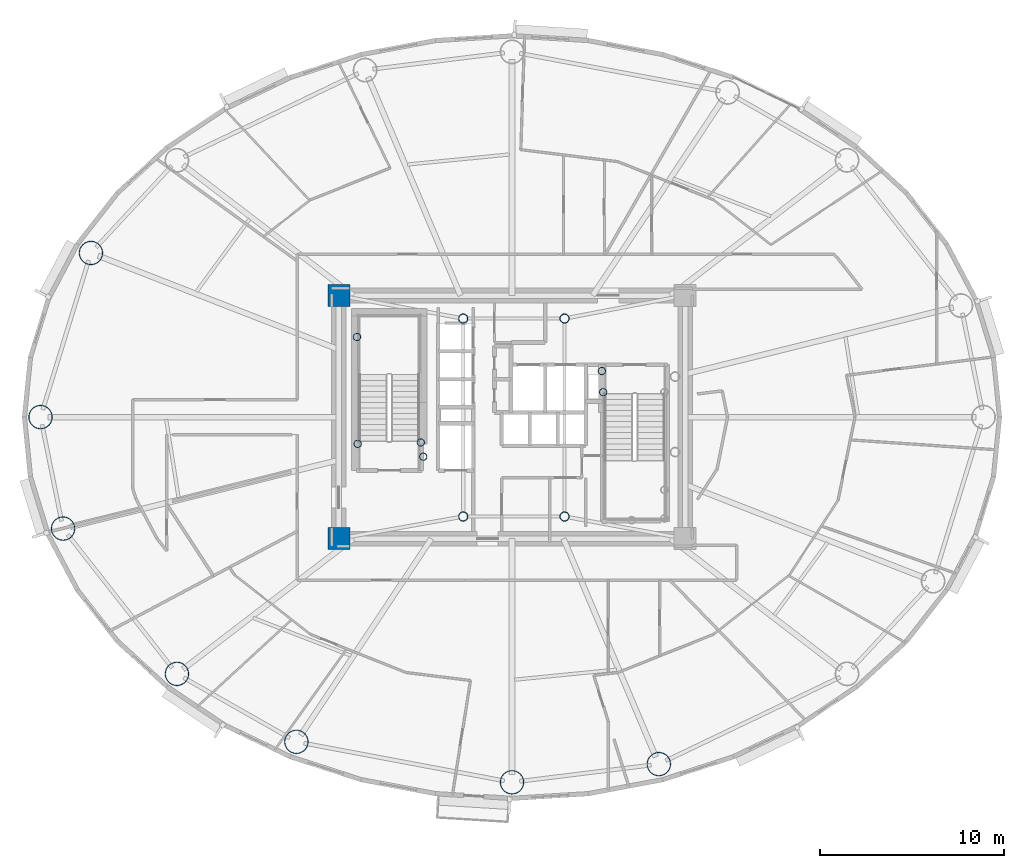
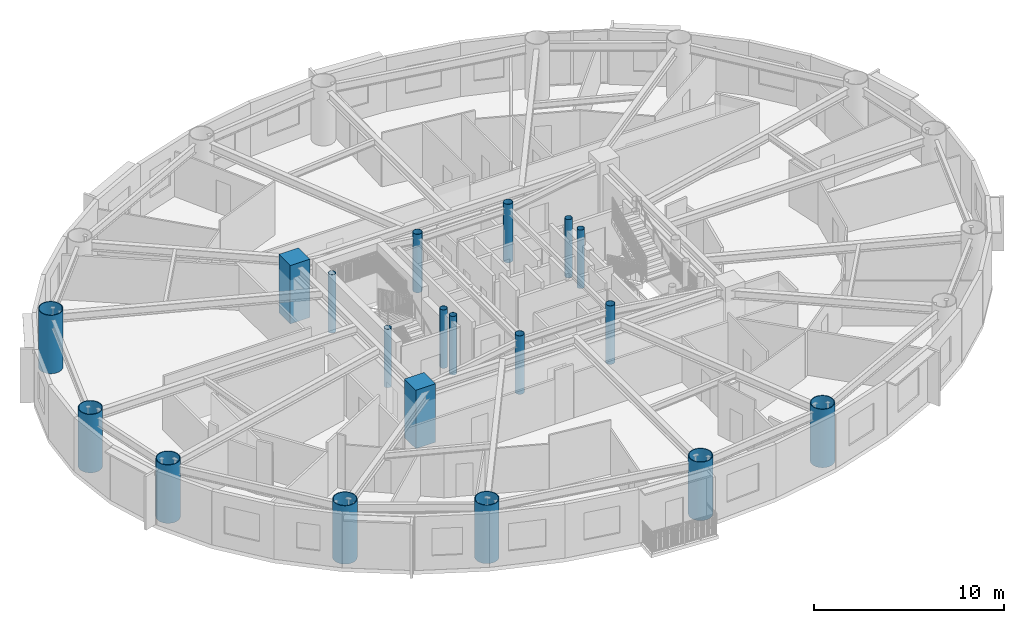
# One storey, part 1 of 17: 19 columns.
"""IFC4 building model written with IfcOpenShell, lengths in metres."""

from ifc_helpers import new_model, si_unit, direction, frame, origin, origin_2d, place, context, subcontext, project, spatial, rectangle, hollow_circle, extrude, material, material_profile, profile_set, type_object, element, save


model = new_model("IFC4")

# Units and contexts
model_context = context("Model", 3, precision=1e-05, world=origin(), true_north=direction((0.0, 1.0)))
body_context = subcontext(model_context, "Body", "Model", "MODEL_VIEW")
ifc_project = project(units=[si_unit("LENGTHUNIT", "METRE"), si_unit("AREAUNIT", "SQUARE_METRE"), si_unit("VOLUMEUNIT", "CUBIC_METRE"), si_unit("PLANEANGLEUNIT", "RADIAN"), si_unit("MASSUNIT", "GRAM", prefix="KILO")], contexts=[model_context])

# Site, building, storey
site_placement = place(None, origin())
site = spatial("IfcSite", under=ifc_project, at=site_placement, CompositionType="ELEMENT")
building_placement = place(site_placement, origin())
building = spatial("IfcBuilding", under=site, at=building_placement, Name="Linh Dai School and Residence Tower", CompositionType="ELEMENT")
storey_placement = place(building_placement, frame((0.0, 0.0, 201.14990234375)))
storey = spatial("IfcBuildingStorey", under=building, at=storey_placement, Name="L49", CompositionType="ELEMENT", Elevation=201.14990234375)

# Columns
ifc_material_1 = material(Name="Concrete B60 (C50/60)", Category="concrete")
ifc_material_profile_1 = material_profile(ifc_material_1, rectangle(XDim=1.199951171875, YDim=1.199951171875, at=origin_2d()), Name="RC 1200x1200")
ifc_profile_set_1 = profile_set([ifc_material_profile_1], Name="Concrete B60 (C50/60)")
column_type_1 = type_object("IfcColumnType", Name="COL-CC2", PredefinedType="COLUMN", material=ifc_profile_set_1)
for number, where, z_axis, x_axis, name in (
    (1, (26.60009765625, 20.39990234375, 0.0), (0.0, 0.0, 1.0), (1.0, 0.0, 0.0), "L49 Core Corner Pier CC1"),
    (2, (26.60009765625, 33.60009765625, 0.0), (0.0, 0.0, 1.0), (1.0, 0.0, 0.0), "L49 Core Corner Pier CC4"),
):
    element("IfcColumn", number, at=place(storey_placement, frame(where, z_axis=z_axis, x_axis=x_axis)), inside=storey, type_object=column_type_1, Name=name, PredefinedType="COLUMN", context=body_context, shape_type="SweptSolid", body=[
        extrude(rectangle(XDim=1.199951171875, YDim=1.199951171875, at=origin_2d()), origin(), (0.0, 0.0, 1.0), 3.75),
    ])
ifc_material_2 = material(Name="Structural Steel S355JR", Category="steel")
ifc_material_profile_2 = material_profile(ifc_material_2, hollow_circle(Radius=0.203125, WallThickness=0.01611328125, at=origin_2d()), Name="CHS 406.4x16")
ifc_profile_set_2 = profile_set([ifc_material_profile_2], Name="Structural Steel S355JR")
column_type_2 = type_object("IfcColumnType", Name="COL-EC", PredefinedType="COLUMN", material=ifc_profile_set_2)
for number, where, z_axis, x_axis, name in (
    (3, (27.580078125, 31.35009765625, 0.0), (0.0, 0.0, 1.0), (1.0, 0.0, 0.0), "L49 Stair Shaft Landing Support Pier ST1NW"),
    (4, (31.050048828125, 25.6201171875, 0.0), (0.0, 0.0, 1.0), (1.0, 0.0, 0.0), "L49 Stair Shaft Landing Support Pier ST1SE"),
    (5, (31.179931640625, 24.85009765625, 0.0), (0.0, 0.0, 1.0), (1.0, 0.0, 0.0), "L49 Stair Shaft Landing Support Pier ST1SM"),
    (6, (27.6201171875, 25.550048828125, 0.0), (0.0, 0.0, 1.0), (1.0, 0.0, 0.0), "L49 Stair Shaft Landing Support Pier ST1SW"),
    (7, (40.949951171875, 28.35009765625, 0.0), (0.0, 0.0, 1.0), (1.0, 0.0, 0.0), "L49 Stair Shaft Landing Support Pier ST2N1"),
    (8, (40.8798828125, 29.5, 0.0), (0.0, 0.0, 1.0), (1.0, 0.0, 0.0), "L49 Stair Shaft Landing Support Pier ST2N3"),
):
    element("IfcColumn", number, at=place(storey_placement, frame(where, z_axis=z_axis, x_axis=x_axis)), inside=storey, type_object=column_type_2, Name=name, PredefinedType="COLUMN", context=body_context, shape_type="SweptSolid", body=[
        extrude(hollow_circle(Radius=0.203125, WallThickness=0.01611328125, at=origin_2d()), origin(), (0.0, 0.0, 1.0), 3.75),
    ])
ifc_material_profile_3 = material_profile(ifc_material_2, hollow_circle(Radius=0.64990234375, WallThickness=0.0400390625, at=origin_2d()), Name="CHS 1300x40")
ifc_profile_set_3 = profile_set([ifc_material_profile_3], Name="Structural Steel S355JR")
column_type_3 = type_object("IfcColumnType", Name="COL-MC4", PredefinedType="COLUMN", material=ifc_profile_set_3)
for number, where, z_axis, x_axis, name in (
    (9, (13.137451171875, 35.9111328125, 0.0), (0.0, 0.0, 1.0), (1.0, 0.0, 0.0), "L49 Perimeter CFT Mega-Column MC08"),
    (10, (10.39990234375, 27.0, 0.0), (0.0, 0.0, 1.0), (1.0, 0.0, 0.0), "L49 Perimeter CFT Mega-Column MC09"),
    (11, (11.62548828125, 20.946533203125, 0.0), (0.0, 0.0, 1.0), (1.0, 0.0, 0.0), "L49 Perimeter CFT Mega-Column MC10"),
    (12, (17.8076171875, 13.058349609375, 0.0), (0.0, 0.0, 1.0), (1.0, 0.0, 0.0), "L49 Perimeter CFT Mega-Column MC11"),
    (13, (24.29443359375, 9.369140625, 0.0), (0.0, 0.0, 1.0), (1.0, 0.0, 0.0), "L49 Perimeter CFT Mega-Column MC12"),
    (14, (36.0, 7.169921875, 0.0), (0.0, 0.0, 1.0), (1.0, 0.0, 0.0), "L49 Perimeter CFT Mega-Column MC13"),
    (15, (43.973388671875, 8.15869140625, 0.0), (0.0, 0.0, 1.0), (1.0, 0.0, 0.0), "L49 Perimeter CFT Mega-Column MC14"),
):
    element("IfcColumn", number, at=place(storey_placement, frame(where, z_axis=z_axis, x_axis=x_axis)), inside=storey, type_object=column_type_3, Name=name, PredefinedType="COLUMN", context=body_context, shape_type="SweptSolid", body=[
        extrude(hollow_circle(Radius=0.64990234375, WallThickness=0.0400390625, at=origin_2d()), origin(), (0.0, 0.0, 1.0), 3.75),
    ])
ifc_material_profile_4 = material_profile(ifc_material_2, hollow_circle(Radius=0.25390625, WallThickness=0.02001953125, at=origin_2d()), Name="CHS 508x20")
ifc_profile_set_4 = profile_set([ifc_material_profile_4], Name="Structural Steel S355JR")
column_type_4 = type_object("IfcColumnType", Name="COL-MCP", PredefinedType="COLUMN", material=ifc_profile_set_4)
for number, where, z_axis, x_axis, name in (
    (16, (33.35009765625, 21.60009765625, 0.0), (0.0, 0.0, 1.0), (1.0, 0.0, 0.0), "L49 Core Mast Support Pier MCP1"),
    (17, (38.85009765625, 21.60009765625, 0.0), (0.0, 0.0, 1.0), (1.0, 0.0, 0.0), "L49 Core Mast Support Pier MCP2"),
    (18, (38.85009765625, 32.35009765625, 0.0), (0.0, 0.0, 1.0), (1.0, 0.0, 0.0), "L49 Core Mast Support Pier MCP3"),
    (19, (33.35009765625, 32.35009765625, 0.0), (0.0, 0.0, 1.0), (1.0, 0.0, 0.0), "L49 Core Mast Support Pier MCP4"),
):
    element("IfcColumn", number, at=place(storey_placement, frame(where, z_axis=z_axis, x_axis=x_axis)), inside=storey, type_object=column_type_4, Name=name, PredefinedType="COLUMN", context=body_context, shape_type="SweptSolid", body=[
        extrude(hollow_circle(Radius=0.25390625, WallThickness=0.02001953125, at=origin_2d()), origin(), (0.0, 0.0, 1.0), 3.75),
    ])

save(model, "model.ifc")
